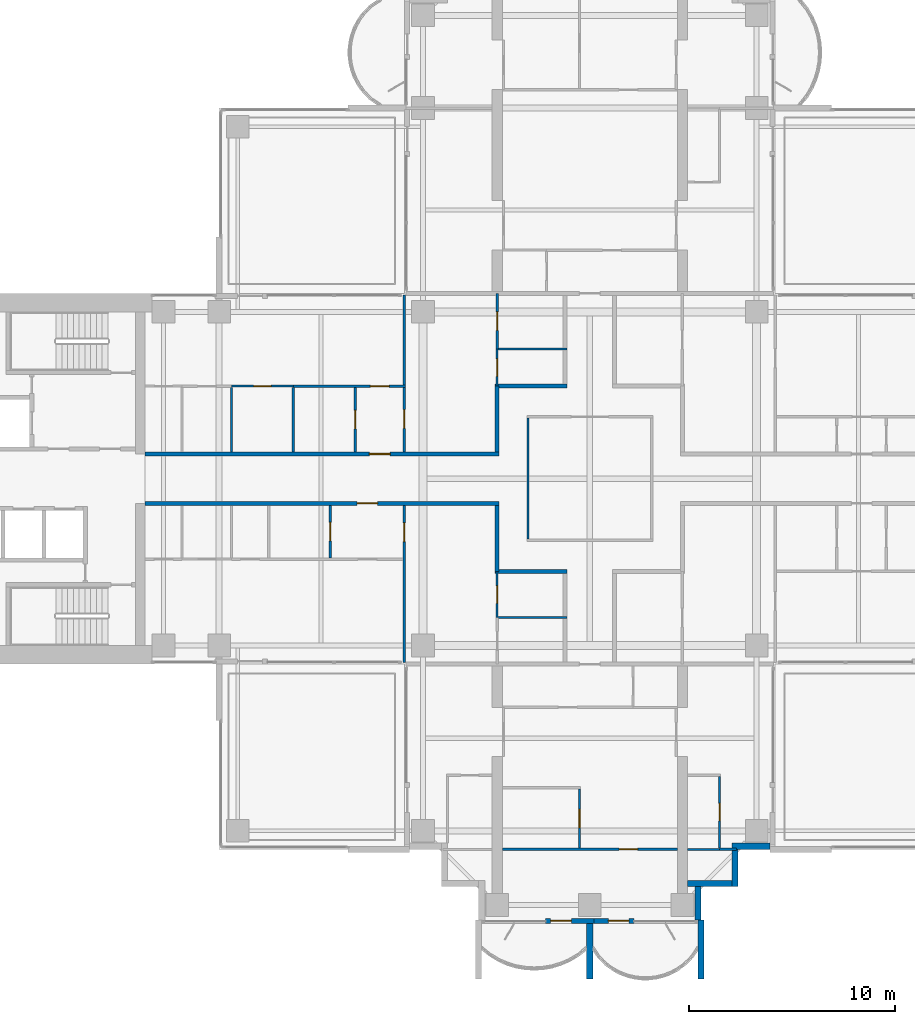
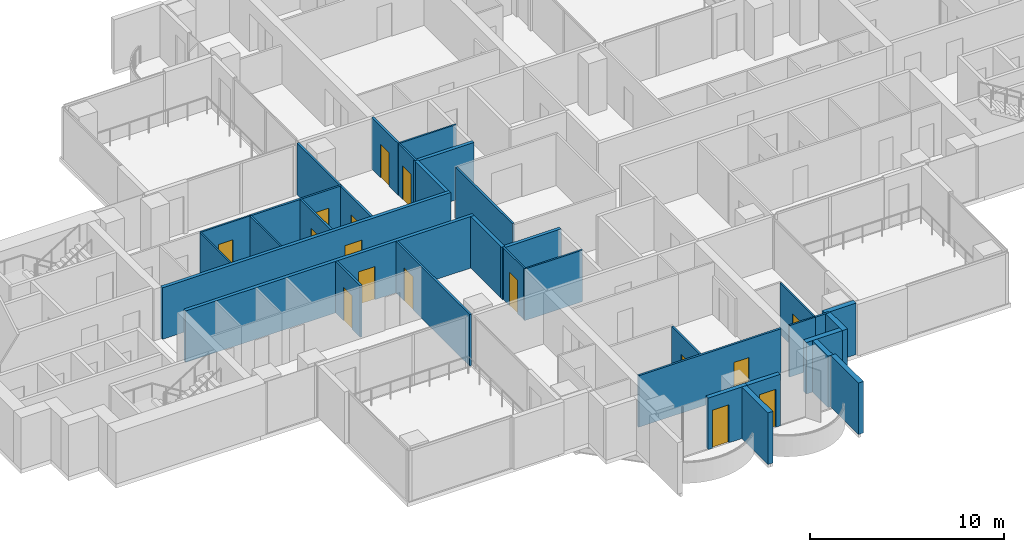
# One storey, part 10 of 18: 33 walls, 16 doors, 16 openings.
"""IFC4 building model written with IfcOpenShell, lengths in metres."""

from ifc_helpers import new_model, si_unit, direction, frame, frame_2d, origin, place, context, subcontext, project, spatial, rectangle, extrude, material, layer, layer_set, type_object, element, fill, save


model = new_model("IFC4")

# Units and contexts
model_context = context("Model", 3, precision=1e-05, world=origin(), true_north=direction((0.0, 1.0)))
body_context = subcontext(model_context, "Body", "Model", "MODEL_VIEW")
ifc_project = project(units=[si_unit("LENGTHUNIT", "METRE"), si_unit("AREAUNIT", "SQUARE_METRE"), si_unit("VOLUMEUNIT", "CUBIC_METRE"), si_unit("PLANEANGLEUNIT", "RADIAN"), si_unit("MASSUNIT", "GRAM", prefix="KILO")], contexts=[model_context])

# Site, building, storey
site_placement = place(None, origin())
site = spatial("IfcSite", under=ifc_project, at=site_placement, CompositionType="ELEMENT")
building_placement = place(site_placement, origin())
building = spatial("IfcBuilding", under=site, at=building_placement, Name="Perihelion Cross Residences", CompositionType="ELEMENT")
storey_placement = place(building_placement, frame((0.0, 0.0, 140.89990234375)))
storey = spatial("IfcBuildingStorey", under=building, at=storey_placement, Name="L34", CompositionType="ELEMENT", Elevation=140.89990234375)

# Wall, opening, door
ifc_material_1 = material(Name="Plasterboard partition")
ifc_layer_1 = layer(ifc_material_1, 0.199951171875)
ifc_layer_set_1 = layer_set([ifc_layer_1], Name="Apartment separation wall 200")
wall_type_1 = type_object("IfcWallType", Name="Apartment separation wall 200", PredefinedType="PARTITIONING", material=ifc_layer_set_1)
wall_1_placement = place(storey_placement, frame((-21.60009765625, 1.199951171875, 0.0), z_axis=(0.0, 0.0, 1.0), x_axis=(1.0, 0.0, 0.0)))
wall_1 = element("IfcWall", 1, at=wall_1_placement, inside=storey, type_object=wall_type_1, Name="Partition L34 W013", PredefinedType="PARTITIONING", context=body_context, shape_type="SweptSolid", body=[
    extrude(rectangle(XDim=17.2001953125, YDim=0.199951171875, at=frame_2d((8.60009765625, 0.0))), origin(), (0.0, 0.0, 1.0), 3.25),
])
opening_1_placement = place(wall_1_placement, frame((10.89990234375, 0.0, 0.0)))
opening_1 = element("IfcOpeningElement", 2, at=opening_1_placement, cuts=wall_1, Name="Opening L34.A48", PredefinedType="OPENING", context=body_context, shape_type="SweptSolid", body=[
    extrude(rectangle(XDim=1.0, YDim=2.10009765625, at=frame_2d((0.5, 1.050048828125))), frame((0.0, 0.10986328125, 0.0), z_axis=(0.0, -1.0, 0.0), x_axis=(1.0, 0.0, 0.0)), (0.0, 0.0, 1.0), 0.219970703125),
])
ifc_material_2 = material(Name="Timber door leaf", Category="wood")
door_type_1 = type_object("IfcDoorType", Name="Flat entrance door 1000 x 2100", OperationType="SINGLE_SWING_LEFT", PredefinedType="DOOR", material=ifc_material_2)
door_1_placement = place(opening_1_placement, origin())
door_1 = element("IfcDoor", 3, at=door_1_placement, inside=storey, type_object=door_type_1, Name="Door L34.A48", OperationType="SINGLE_SWING_RIGHT", OverallHeight=2.10009765625, OverallWidth=1.0, PredefinedType="DOOR", context=body_context, shape_type="SweptSolid", body=[
    extrude(rectangle(XDim=1.0, YDim=2.10009765625, at=frame_2d((0.5, 1.050048828125))), frame((0.0, 0.02490234375, 0.0), z_axis=(0.0, -1.0, 0.0), x_axis=(1.0, 0.0, 0.0)), (0.0, 0.0, 1.0), 0.050048828125),
])
fill(opening_1, door_1)

# Walls
wall_2_placement = place(storey_placement, frame((-4.5, 1.300048828125, 0.0), z_axis=(0.0, 0.0, 1.0), x_axis=(0.0, 1.0, 0.0)))
element("IfcWall", 4, at=wall_2_placement, inside=storey, type_object=wall_type_1, Name="Partition L34 W014", PredefinedType="PARTITIONING", context=body_context, shape_type="SweptSolid", body=[
    extrude(rectangle(XDim=3.199951171875, YDim=0.199951171875, at=frame_2d((1.60009765625, 0.0))), origin(), (0.0, 0.0, 1.0), 3.25),
])
wall_3_placement = place(storey_placement, frame((-4.60009765625, 4.5, 0.0), z_axis=(0.0, 0.0, 1.0), x_axis=(1.0, 0.0, 0.0)))
element("IfcWall", 5, at=wall_3_placement, inside=storey, type_object=wall_type_1, Name="Partition L34 W015", PredefinedType="PARTITIONING", context=body_context, shape_type="SweptSolid", body=[
    extrude(rectangle(XDim=3.5, YDim=0.199951171875, at=frame_2d((1.75, 0.0))), origin(), (0.0, 0.0, 1.0), 3.25),
])

# Wall, opening, door
wall_4_placement = place(storey_placement, frame((-4.39990234375, -1.199951171875, 0.0), z_axis=(0.0, 0.0, 1.0), x_axis=(-1.0, 0.0, 0.0)))
wall_4 = element("IfcWall", 6, at=wall_4_placement, inside=storey, type_object=wall_type_1, Name="Partition L34 W017", PredefinedType="PARTITIONING", context=body_context, shape_type="SweptSolid", body=[
    extrude(rectangle(XDim=17.2001953125, YDim=0.199951171875, at=frame_2d((8.60009765625, 0.0))), origin(), (0.0, 0.0, 1.0), 3.25),
])
opening_2_placement = place(wall_4_placement, frame((5.89990234375, 0.0, 0.0)))
opening_2 = element("IfcOpeningElement", 7, at=opening_2_placement, cuts=wall_4, Name="Opening L34.A49", PredefinedType="OPENING", context=body_context, shape_type="SweptSolid", body=[
    extrude(rectangle(XDim=1.0, YDim=2.10009765625, at=frame_2d((0.5, 1.050048828125))), frame((0.0, 0.10986328125, 0.0), z_axis=(0.0, -1.0, 0.0), x_axis=(1.0, 0.0, 0.0)), (0.0, 0.0, 1.0), 0.219970703125),
])
door_2_placement = place(opening_2_placement, origin())
door_2 = element("IfcDoor", 8, at=door_2_placement, inside=storey, type_object=door_type_1, Name="Door L34.A49", OperationType="SINGLE_SWING_RIGHT", OverallHeight=2.10009765625, OverallWidth=1.0, PredefinedType="DOOR", context=body_context, shape_type="SweptSolid", body=[
    extrude(rectangle(XDim=1.0, YDim=2.10009765625, at=frame_2d((0.5, 1.050048828125))), frame((0.0, 0.02490234375, 0.0), z_axis=(0.0, -1.0, 0.0), x_axis=(1.0, 0.0, 0.0)), (0.0, 0.0, 1.0), 0.050048828125),
])
fill(opening_2, door_2)

# Walls
wall_5_placement = place(storey_placement, frame((-4.5, -4.5, 0.0), z_axis=(0.0, 0.0, 1.0), x_axis=(0.0, 1.0, 0.0)))
element("IfcWall", 9, at=wall_5_placement, inside=storey, type_object=wall_type_1, Name="Partition L34 W018", PredefinedType="PARTITIONING", context=body_context, shape_type="SweptSolid", body=[
    extrude(rectangle(XDim=3.199951171875, YDim=0.199951171875, at=frame_2d((1.60009765625, 0.0))), origin(), (0.0, 0.0, 1.0), 3.25),
])
wall_6_placement = place(storey_placement, frame((-1.10009765625, -4.5, 0.0), z_axis=(0.0, 0.0, 1.0), x_axis=(-1.0, 0.0, 0.0)))
element("IfcWall", 10, at=wall_6_placement, inside=storey, type_object=wall_type_1, Name="Partition L34 W020", PredefinedType="PARTITIONING", context=body_context, shape_type="SweptSolid", body=[
    extrude(rectangle(XDim=3.5, YDim=0.199951171875, at=frame_2d((1.75, 0.0))), origin(), (0.0, 0.0, 1.0), 3.25),
])

# Wall, opening, door
ifc_material_3 = material(Name="Concrete C30/37, bronze-clad", Category="concrete")
ifc_layer_2 = layer(ifc_material_3, 0.25)
ifc_layer_set_2 = layer_set([ifc_layer_2], Name="Bronze-clad pier wall 250")
wall_type_2 = type_object("IfcWallType", Name="Bronze-clad pier wall 250", PredefinedType="SOLIDWALL", material=ifc_layer_set_2)
wall_7_placement = place(storey_placement, frame((-2.14990234375, -21.47509765625, 0.0), z_axis=(0.0, 0.0, 1.0), x_axis=(1.0, 0.0, 0.0)))
wall_7 = element("IfcWall", 11, at=wall_7_placement, inside=storey, type_object=wall_type_2, Name="Wall FW1 L34 south tip south bay 1 pier", PredefinedType="SOLIDWALL", context=body_context, shape_type="SweptSolid", body=[
    extrude(rectangle(XDim=2.349853515625, YDim=0.25, at=frame_2d((1.1748046875, 0.0))), origin(), (0.0, 0.0, 1.0), 3.25),
])
opening_3_placement = place(wall_7_placement, frame((0.25, 0.0, 0.0)))
opening_3 = element("IfcOpeningElement", 12, at=opening_3_placement, cuts=wall_7, Name="Opening L34.E11", PredefinedType="OPENING", context=body_context, shape_type="SweptSolid", body=[
    extrude(rectangle(XDim=1.0, YDim=2.39990234375, at=frame_2d((0.5, 1.199951171875))), frame((0.0, 0.135009765625, 0.0), z_axis=(0.0, -1.0, 0.0), x_axis=(1.0, 0.0, 0.0)), (0.0, 0.0, 1.0), 0.27001953125),
])
ifc_material_4 = material(Name="Bronze anodised aluminium, glazed", Category="aluminium")
door_type_2 = type_object("IfcDoorType", Name="Balcony door 1000 x 2400", OperationType="NOTDEFINED", PredefinedType="DOOR", material=ifc_material_4)
door_3_placement = place(opening_3_placement, origin())
door_3 = element("IfcDoor", 13, at=door_3_placement, inside=storey, type_object=door_type_2, Name="Door L34.E11 south tip south bay 1", OperationType="SINGLE_SWING_RIGHT", OverallHeight=2.39990234375, OverallWidth=1.0, PredefinedType="DOOR", context=body_context, shape_type="SweptSolid", body=[
    extrude(rectangle(XDim=1.0, YDim=2.39990234375, at=frame_2d((0.5, 1.199951171875))), frame((0.0, 0.02490234375, 0.0), z_axis=(0.0, -1.0, 0.0), x_axis=(1.0, 0.0, 0.0)), (0.0, 0.0, 1.0), 0.050048828125),
])
fill(opening_3, door_3)

wall_8_placement = place(storey_placement, frame((0.199951171875, -21.47509765625, 0.0), z_axis=(0.0, 0.0, 1.0), x_axis=(1.0, 0.0, 0.0)))
wall_8 = element("IfcWall", 14, at=wall_8_placement, inside=storey, type_object=wall_type_2, Name="Wall FW1 L34 south tip south bay 2 pier", PredefinedType="SOLIDWALL", context=body_context, shape_type="SweptSolid", body=[
    extrude(rectangle(XDim=1.949951171875, YDim=0.25, at=frame_2d((0.97509765625, 0.0))), origin(), (0.0, 0.0, 1.0), 3.25),
])
opening_4_placement = place(wall_8_placement, frame((0.699951171875, 0.0, 0.0)))
opening_4 = element("IfcOpeningElement", 15, at=opening_4_placement, cuts=wall_8, Name="Opening L34.E12", PredefinedType="OPENING", context=body_context, shape_type="SweptSolid", body=[
    extrude(rectangle(XDim=1.0, YDim=2.39990234375, at=frame_2d((0.5, 1.199951171875))), frame((0.0, 0.135009765625, 0.0), z_axis=(0.0, -1.0, 0.0), x_axis=(1.0, 0.0, 0.0)), (0.0, 0.0, 1.0), 0.27001953125),
])
door_4_placement = place(opening_4_placement, origin())
door_4 = element("IfcDoor", 16, at=door_4_placement, inside=storey, type_object=door_type_2, Name="Door L34.E12 south tip south bay 2", OperationType="SINGLE_SWING_LEFT", OverallHeight=2.39990234375, OverallWidth=1.0, PredefinedType="DOOR", context=body_context, shape_type="SweptSolid", body=[
    extrude(rectangle(XDim=1.0, YDim=2.39990234375, at=frame_2d((0.5, 1.199951171875))), frame((0.0, 0.02490234375, 0.0), z_axis=(0.0, -1.0, 0.0), x_axis=(1.0, 0.0, 0.0)), (0.0, 0.0, 1.0), 0.050048828125),
])
fill(opening_4, door_4)

# Walls
ifc_material_5 = material(Name="Concrete C30/37, bronze-clad", Category="concrete")
ifc_layer_3 = layer(ifc_material_5, 0.300048828125)
ifc_layer_set_3 = layer_set([ifc_layer_3], Name="Bronze-clad serration wall 300")
wall_type_3 = type_object("IfcWallType", Name="Bronze-clad serration wall 300", PredefinedType="SOLIDWALL", material=ifc_layer_set_3)
wall_9_placement = place(storey_placement, frame((5.25, -21.419921875, 0.0), z_axis=(0.0, 0.0, 1.0), x_axis=(0.0, 1.0, 0.0)))
element("IfcWall", 17, at=wall_9_placement, inside=storey, type_object=wall_type_3, Name="Wall SR1 L34 south corner south-east 1", PredefinedType="SOLIDWALL", context=body_context, shape_type="SweptSolid", body=[
    extrude(rectangle(XDim=1.619873046875, YDim=0.300048828125, at=frame_2d((0.81005859375, 0.0))), origin(), (0.0, 0.0, 1.0), 3.25),
])
wall_10_placement = place(storey_placement, frame((4.75, -19.64990234375, 0.0), z_axis=(0.0, 0.0, 1.0), x_axis=(1.0, 0.0, 0.0)))
element("IfcWall", 18, at=wall_10_placement, inside=storey, type_object=wall_type_3, Name="Wall SR1 L34 south corner south-east 2", PredefinedType="SOLIDWALL", context=body_context, shape_type="SweptSolid", body=[
    extrude(rectangle(XDim=2.14990234375, YDim=0.300048828125, at=frame_2d((1.074951171875, 0.0))), origin(), (0.0, 0.0, 1.0), 3.25),
])
wall_11_placement = place(storey_placement, frame((7.050048828125, -19.800048828125, 0.0), z_axis=(0.0, 0.0, 1.0), x_axis=(0.0, 1.0, 0.0)))
element("IfcWall", 19, at=wall_11_placement, inside=storey, type_object=wall_type_3, Name="Wall SR1 L34 south corner south-east 3", PredefinedType="SOLIDWALL", context=body_context, shape_type="SweptSolid", body=[
    extrude(rectangle(XDim=1.800048828125, YDim=0.300048828125, at=frame_2d((0.89990234375, 0.0))), origin(), (0.0, 0.0, 1.0), 3.25),
])
wall_12_placement = place(storey_placement, frame((6.89990234375, -17.85009765625, 0.0), z_axis=(0.0, 0.0, 1.0), x_axis=(1.0, 0.0, 0.0)))
element("IfcWall", 20, at=wall_12_placement, inside=storey, type_object=wall_type_3, Name="Wall SR1 L34 south corner south-east 4", PredefinedType="SOLIDWALL", context=body_context, shape_type="SweptSolid", body=[
    extrude(rectangle(XDim=1.85009765625, YDim=0.300048828125, at=frame_2d((0.925048828125, 0.0))), origin(), (0.0, 0.0, 1.0), 3.25),
])
ifc_material_6 = material(Name="Plasterboard partition")
ifc_layer_4 = layer(ifc_material_6, 0.1201171875)
ifc_layer_set_4 = layer_set([ifc_layer_4], Name="Partition wall 120")
wall_type_4 = type_object("IfcWallType", Name="Partition wall 120", PredefinedType="PARTITIONING", material=ifc_layer_set_4)
wall_13_placement = place(storey_placement, frame((-3.0, 2.93994140625, 0.0), z_axis=(0.0, 0.0, 1.0), x_axis=(0.0, -1.0, 0.0)))
element("IfcWall", 21, at=wall_13_placement, inside=storey, type_object=wall_type_4, Name="Partition L34 W004", PredefinedType="PARTITIONING", context=body_context, shape_type="SweptSolid", body=[
    extrude(rectangle(XDim=5.8798828125, YDim=0.1201171875, at=frame_2d((2.93994140625, 0.0))), origin(), (0.0, 0.0, 1.0), 3.25),
])

# Wall, opening, door
wall_14_placement = place(storey_placement, frame((-11.39990234375, 1.300048828125, 0.0), z_axis=(0.0, 0.0, 1.0), x_axis=(0.0, 1.0, 0.0)))
wall_14 = element("IfcWall", 22, at=wall_14_placement, inside=storey, type_object=wall_type_4, Name="Partition L34 W041", PredefinedType="PARTITIONING", context=body_context, shape_type="SweptSolid", body=[
    extrude(rectangle(XDim=3.139892578125, YDim=0.1201171875, at=frame_2d((1.56982421875, 0.0))), origin(), (0.0, 0.0, 1.0), 3.25),
])
opening_5_placement = place(wall_14_placement, frame((1.1201171875, 0.0, 0.0)))
opening_5 = element("IfcOpeningElement", 23, at=opening_5_placement, cuts=wall_14, Name="Opening L34.A17", PredefinedType="OPENING", context=body_context, shape_type="SweptSolid", body=[
    extrude(rectangle(XDim=0.89990234375, YDim=2.10009765625, at=frame_2d((0.449951171875, 1.050048828125))), frame((0.0, 0.070068359375, 0.0), z_axis=(0.0, -1.0, 0.0), x_axis=(1.0, 0.0, 0.0)), (0.0, 0.0, 1.0), 0.14013671875),
])
ifc_material_7 = material(Name="Timber door leaf", Category="wood")
door_type_3 = type_object("IfcDoorType", Name="Interior room door 900 x 2100", OperationType="SINGLE_SWING_LEFT", PredefinedType="DOOR", material=ifc_material_7)
door_5_placement = place(opening_5_placement, origin())
door_5 = element("IfcDoor", 24, at=door_5_placement, inside=storey, type_object=door_type_3, Name="Door L34.A17", OperationType="SINGLE_SWING_LEFT", OverallHeight=2.10009765625, OverallWidth=0.89990234375, PredefinedType="DOOR", context=body_context, shape_type="SweptSolid", body=[
    extrude(rectangle(XDim=0.89990234375, YDim=2.10009765625, at=frame_2d((0.449951171875, 1.050048828125))), frame((0.0, 0.02490234375, 0.0), z_axis=(0.0, -1.0, 0.0), x_axis=(1.0, 0.0, 0.0)), (0.0, 0.0, 1.0), 0.050048828125),
])
fill(opening_5, door_5)

wall_15_placement = place(storey_placement, frame((-14.39990234375, 4.5, 0.0), z_axis=(0.0, 0.0, 1.0), x_axis=(1.0, 0.0, 0.0)))
wall_15 = element("IfcWall", 25, at=wall_15_placement, inside=storey, type_object=wall_type_4, Name="Partition L34 W042", PredefinedType="PARTITIONING", context=body_context, shape_type="SweptSolid", body=[
    extrude(rectangle(XDim=5.4599609375, YDim=0.1201171875, at=frame_2d((2.72998046875, 0.0))), origin(), (0.0, 0.0, 1.0), 3.25),
])
opening_6_placement = place(wall_15_placement, frame((3.75, 0.0, 0.0)))
opening_6 = element("IfcOpeningElement", 26, at=opening_6_placement, cuts=wall_15, Name="Opening L34.A22", PredefinedType="OPENING", context=body_context, shape_type="SweptSolid", body=[
    extrude(rectangle(XDim=0.89990234375, YDim=2.10009765625, at=frame_2d((0.449951171875, 1.050048828125))), frame((0.0, 0.070068359375, 0.0), z_axis=(0.0, -1.0, 0.0), x_axis=(1.0, 0.0, 0.0)), (0.0, 0.0, 1.0), 0.14013671875),
])
door_6_placement = place(opening_6_placement, origin())
door_6 = element("IfcDoor", 27, at=door_6_placement, inside=storey, type_object=door_type_3, Name="Door L34.A22", OperationType="SINGLE_SWING_LEFT", OverallHeight=2.10009765625, OverallWidth=0.89990234375, PredefinedType="DOOR", context=body_context, shape_type="SweptSolid", body=[
    extrude(rectangle(XDim=0.89990234375, YDim=2.10009765625, at=frame_2d((0.449951171875, 1.050048828125))), frame((0.0, 0.02490234375, 0.0), z_axis=(0.0, -1.0, 0.0), x_axis=(1.0, 0.0, 0.0)), (0.0, 0.0, 1.0), 0.050048828125),
])
fill(opening_6, door_6)

wall_16_placement = place(storey_placement, frame((-9.0, 8.919921875, 0.0), z_axis=(0.0, 0.0, 1.0), x_axis=(0.0, -1.0, 0.0)))
wall_16 = element("IfcWall", 28, at=wall_16_placement, inside=storey, type_object=wall_type_4, Name="Partition L34 W043", PredefinedType="PARTITIONING", context=body_context, shape_type="SweptSolid", body=[
    extrude(rectangle(XDim=7.619873046875, YDim=0.1201171875, at=frame_2d((3.81005859375, 0.0))), origin(), (0.0, 0.0, 1.0), 3.25),
])
opening_7_placement = place(wall_16_placement, frame((5.570068359375, 0.0, 0.0)))
opening_7 = element("IfcOpeningElement", 29, at=opening_7_placement, cuts=wall_16, Name="Opening L34.A18", PredefinedType="OPENING", context=body_context, shape_type="SweptSolid", body=[
    extrude(rectangle(XDim=0.89990234375, YDim=2.10009765625, at=frame_2d((0.449951171875, 1.050048828125))), frame((0.0, 0.070068359375, 0.0), z_axis=(0.0, -1.0, 0.0), x_axis=(1.0, 0.0, 0.0)), (0.0, 0.0, 1.0), 0.14013671875),
])
door_7_placement = place(opening_7_placement, origin())
door_7 = element("IfcDoor", 30, at=door_7_placement, inside=storey, type_object=door_type_3, Name="Door L34.A18", OperationType="SINGLE_SWING_RIGHT", OverallHeight=2.10009765625, OverallWidth=0.89990234375, PredefinedType="DOOR", context=body_context, shape_type="SweptSolid", body=[
    extrude(rectangle(XDim=0.89990234375, YDim=2.10009765625, at=frame_2d((0.449951171875, 1.050048828125))), frame((0.0, 0.02490234375, 0.0), z_axis=(0.0, -1.0, 0.0), x_axis=(1.0, 0.0, 0.0)), (0.0, 0.0, 1.0), 0.050048828125),
])
fill(opening_7, door_7)

wall_17_placement = place(storey_placement, frame((-4.5, 9.0, 0.0), z_axis=(0.0, 0.0, 1.0), x_axis=(0.0, -1.0, 0.0)))
wall_17 = element("IfcWall", 31, at=wall_17_placement, inside=storey, type_object=wall_type_4, Name="Partition L34 W051", PredefinedType="PARTITIONING", context=body_context, shape_type="SweptSolid", body=[
    extrude(rectangle(XDim=2.699951171875, YDim=0.1201171875, at=frame_2d((1.35009765625, 0.0))), origin(), (0.0, 0.0, 1.0), 3.25),
])
opening_8_placement = place(wall_17_placement, frame((0.89990234375, 0.0, 0.0)))
opening_8 = element("IfcOpeningElement", 32, at=opening_8_placement, cuts=wall_17, Name="Opening L34.A19", PredefinedType="OPENING", context=body_context, shape_type="SweptSolid", body=[
    extrude(rectangle(XDim=0.89990234375, YDim=2.10009765625, at=frame_2d((0.449951171875, 1.050048828125))), frame((0.0, 0.070068359375, 0.0), z_axis=(0.0, -1.0, 0.0), x_axis=(1.0, 0.0, 0.0)), (0.0, 0.0, 1.0), 0.14013671875),
])
door_8_placement = place(opening_8_placement, origin())
door_8 = element("IfcDoor", 33, at=door_8_placement, inside=storey, type_object=door_type_3, Name="Door L34.A19", OperationType="SINGLE_SWING_RIGHT", OverallHeight=2.10009765625, OverallWidth=0.89990234375, PredefinedType="DOOR", context=body_context, shape_type="SweptSolid", body=[
    extrude(rectangle(XDim=0.89990234375, YDim=2.10009765625, at=frame_2d((0.449951171875, 1.050048828125))), frame((0.0, 0.02490234375, 0.0), z_axis=(0.0, -1.0, 0.0), x_axis=(1.0, 0.0, 0.0)), (0.0, 0.0, 1.0), 0.050048828125),
])
fill(opening_8, door_8)

wall_18_placement = place(storey_placement, frame((-12.60009765625, -3.840087890625, 0.0), z_axis=(0.0, 0.0, 1.0), x_axis=(0.0, 1.0, 0.0)))
wall_18 = element("IfcWall", 34, at=wall_18_placement, inside=storey, type_object=wall_type_4, Name="Partition L34 W053", PredefinedType="PARTITIONING", context=body_context, shape_type="SweptSolid", body=[
    extrude(rectangle(XDim=2.5400390625, YDim=0.1201171875, at=frame_2d((1.27001953125, 0.0))), origin(), (0.0, 0.0, 1.0), 3.25),
])
opening_9_placement = place(wall_18_placement, frame((0.820068359375, 0.0, 0.0)))
opening_9 = element("IfcOpeningElement", 35, at=opening_9_placement, cuts=wall_18, Name="Opening L34.A26", PredefinedType="OPENING", context=body_context, shape_type="SweptSolid", body=[
    extrude(rectangle(XDim=0.89990234375, YDim=2.10009765625, at=frame_2d((0.449951171875, 1.050048828125))), frame((0.0, 0.070068359375, 0.0), z_axis=(0.0, -1.0, 0.0), x_axis=(1.0, 0.0, 0.0)), (0.0, 0.0, 1.0), 0.14013671875),
])
door_9_placement = place(opening_9_placement, origin())
door_9 = element("IfcDoor", 36, at=door_9_placement, inside=storey, type_object=door_type_3, Name="Door L34.A26", OperationType="SINGLE_SWING_RIGHT", OverallHeight=2.10009765625, OverallWidth=0.89990234375, PredefinedType="DOOR", context=body_context, shape_type="SweptSolid", body=[
    extrude(rectangle(XDim=0.89990234375, YDim=2.10009765625, at=frame_2d((0.449951171875, 1.050048828125))), frame((0.0, 0.02490234375, 0.0), z_axis=(0.0, -1.0, 0.0), x_axis=(1.0, 0.0, 0.0)), (0.0, 0.0, 1.0), 0.050048828125),
])
fill(opening_9, door_9)

wall_19_placement = place(storey_placement, frame((-9.0, -1.300048828125, 0.0), z_axis=(0.0, 0.0, 1.0), x_axis=(0.0, -1.0, 0.0)))
wall_19 = element("IfcWall", 37, at=wall_19_placement, inside=storey, type_object=wall_type_4, Name="Partition L34 W055", PredefinedType="PARTITIONING", context=body_context, shape_type="SweptSolid", body=[
    extrude(rectangle(XDim=7.619873046875, YDim=0.1201171875, at=frame_2d((3.81005859375, 0.0))), origin(), (0.0, 0.0, 1.0), 3.25),
])
opening_10_placement = place(wall_19_placement, frame((0.85009765625, 0.0, 0.0)))
opening_10 = element("IfcOpeningElement", 38, at=opening_10_placement, cuts=wall_19, Name="Opening L34.A29", PredefinedType="OPENING", context=body_context, shape_type="SweptSolid", body=[
    extrude(rectangle(XDim=0.89990234375, YDim=2.10009765625, at=frame_2d((0.449951171875, 1.050048828125))), frame((0.0, 0.070068359375, 0.0), z_axis=(0.0, -1.0, 0.0), x_axis=(1.0, 0.0, 0.0)), (0.0, 0.0, 1.0), 0.14013671875),
])
door_10_placement = place(opening_10_placement, origin())
door_10 = element("IfcDoor", 39, at=door_10_placement, inside=storey, type_object=door_type_3, Name="Door L34.A29", OperationType="SINGLE_SWING_LEFT", OverallHeight=2.10009765625, OverallWidth=0.89990234375, PredefinedType="DOOR", context=body_context, shape_type="SweptSolid", body=[
    extrude(rectangle(XDim=0.89990234375, YDim=2.10009765625, at=frame_2d((0.449951171875, 1.050048828125))), frame((0.0, 0.02490234375, 0.0), z_axis=(0.0, -1.0, 0.0), x_axis=(1.0, 0.0, 0.0)), (0.0, 0.0, 1.0), 0.050048828125),
])
fill(opening_10, door_10)

wall_20_placement = place(storey_placement, frame((-0.5, -17.93994140625, 0.0), z_axis=(0.0, 0.0, 1.0), x_axis=(0.0, 1.0, 0.0)))
wall_20 = element("IfcWall", 40, at=wall_20_placement, inside=storey, type_object=wall_type_4, Name="Partition L34 W080", PredefinedType="PARTITIONING", context=body_context, shape_type="SweptSolid", body=[
    extrude(rectangle(XDim=2.8798828125, YDim=0.1201171875, at=frame_2d((1.43994140625, 0.0))), origin(), (0.0, 0.0, 1.0), 3.25),
])
opening_11_placement = place(wall_20_placement, frame((0.989990234375, 0.0, 0.0)))
opening_11 = element("IfcOpeningElement", 41, at=opening_11_placement, cuts=wall_20, Name="Opening L34.A42", PredefinedType="OPENING", context=body_context, shape_type="SweptSolid", body=[
    extrude(rectangle(XDim=0.89990234375, YDim=2.10009765625, at=frame_2d((0.449951171875, 1.050048828125))), frame((0.0, 0.070068359375, 0.0), z_axis=(0.0, -1.0, 0.0), x_axis=(1.0, 0.0, 0.0)), (0.0, 0.0, 1.0), 0.14013671875),
])
door_11_placement = place(opening_11_placement, origin())
door_11 = element("IfcDoor", 42, at=door_11_placement, inside=storey, type_object=door_type_3, Name="Door L34.A42", OperationType="SINGLE_SWING_RIGHT", OverallHeight=2.10009765625, OverallWidth=0.89990234375, PredefinedType="DOOR", context=body_context, shape_type="SweptSolid", body=[
    extrude(rectangle(XDim=0.89990234375, YDim=2.10009765625, at=frame_2d((0.449951171875, 1.050048828125))), frame((0.0, 0.02490234375, 0.0), z_axis=(0.0, -1.0, 0.0), x_axis=(1.0, 0.0, 0.0)), (0.0, 0.0, 1.0), 0.050048828125),
])
fill(opening_11, door_11)

wall_21_placement = place(storey_placement, frame((4.25, -18.0, 0.0), z_axis=(0.0, 0.0, 1.0), x_axis=(-1.0, 0.0, 0.0)))
wall_21 = element("IfcWall", 43, at=wall_21_placement, inside=storey, type_object=wall_type_4, Name="Partition L34 W082", PredefinedType="PARTITIONING", context=body_context, shape_type="SweptSolid", body=[
    extrude(rectangle(XDim=8.5, YDim=0.1201171875, at=frame_2d((4.25, 0.0))), origin(), (0.0, 0.0, 1.0), 3.25),
])
opening_12_placement = place(wall_21_placement, frame((1.925048828125, 0.0, 0.0)))
opening_12 = element("IfcOpeningElement", 44, at=opening_12_placement, cuts=wall_21, Name="Opening L34.A43", PredefinedType="OPENING", context=body_context, shape_type="SweptSolid", body=[
    extrude(rectangle(XDim=0.89990234375, YDim=2.10009765625, at=frame_2d((0.449951171875, 1.050048828125))), frame((0.0, 0.070068359375, 0.0), z_axis=(0.0, -1.0, 0.0), x_axis=(1.0, 0.0, 0.0)), (0.0, 0.0, 1.0), 0.14013671875),
])
door_12_placement = place(opening_12_placement, origin())
door_12 = element("IfcDoor", 45, at=door_12_placement, inside=storey, type_object=door_type_3, Name="Door L34.A43", OperationType="SINGLE_SWING_RIGHT", OverallHeight=2.10009765625, OverallWidth=0.89990234375, PredefinedType="DOOR", context=body_context, shape_type="SweptSolid", body=[
    extrude(rectangle(XDim=0.89990234375, YDim=2.10009765625, at=frame_2d((0.449951171875, 1.050048828125))), frame((0.0, 0.02490234375, 0.0), z_axis=(0.0, -1.0, 0.0), x_axis=(1.0, 0.0, 0.0)), (0.0, 0.0, 1.0), 0.050048828125),
])
fill(opening_12, door_12)

# Walls
wall_22_placement = place(storey_placement, frame((7.1201171875, -18.0, 0.0), z_axis=(0.0, 0.0, 1.0), x_axis=(-1.0, 0.0, 0.0)))
element("IfcWall", 46, at=wall_22_placement, inside=storey, type_object=wall_type_4, Name="Partition L34 W085", PredefinedType="PARTITIONING", context=body_context, shape_type="SweptSolid", body=[
    extrude(rectangle(XDim=0.820068359375, YDim=0.1201171875, at=frame_2d((0.41015625, 0.0))), origin(), (0.0, 0.0, 1.0), 3.25),
])
ifc_material_8 = material(Name="Precast concrete C50/60", Category="concrete")
ifc_layer_5 = layer(ifc_material_8, 0.300048828125)
ifc_layer_set_5 = layer_set([ifc_layer_5], Name="Precast concrete C50/60 blade wall 300")
wall_type_5 = type_object("IfcWallType", Name="Precast concrete C50/60 blade wall 300", PredefinedType="SOLIDWALL", material=ifc_layer_set_5)
wall_23_placement = place(storey_placement, frame((0.0, -21.60009765625, 0.0), z_axis=(0.0, 0.0, 1.0), x_axis=(0.0, -1.0, 0.0)))
element("IfcWall", 47, at=wall_23_placement, inside=storey, type_object=wall_type_5, Name="Wall BL1 L34 no. 8", PredefinedType="SOLIDWALL", context=body_context, shape_type="SweptSolid", body=[
    extrude(rectangle(XDim=2.699951171875, YDim=0.300048828125, at=frame_2d((1.35009765625, 0.0))), origin(), (0.0, 0.0, 1.0), 3.25),
])
wall_24_placement = place(storey_placement, frame((5.39990234375, -21.419921875, 0.0), z_axis=(0.0, 0.0, 1.0), x_axis=(0.0, -1.0, 0.0)))
element("IfcWall", 48, at=wall_24_placement, inside=storey, type_object=wall_type_5, Name="Wall BL1 L34 no. 12", PredefinedType="SOLIDWALL", context=body_context, shape_type="SweptSolid", body=[
    extrude(rectangle(XDim=2.880126953125, YDim=0.300048828125, at=frame_2d((1.43994140625, 0.0))), origin(), (0.0, 0.0, 1.0), 3.25),
])
ifc_material_9 = material(Name="Plasterboard partition")
ifc_layer_6 = layer(ifc_material_9, 0.10009765625)
ifc_layer_set_6 = layer_set([ifc_layer_6], Name="Wet room wall 100")
wall_type_6 = type_object("IfcWallType", Name="Wet room wall 100", PredefinedType="PARTITIONING", material=ifc_layer_set_6)
for number, where, z_axis, x_axis, name in (
    (49, (-14.39990234375, 1.300048828125, 0.0), (0.0, 0.0, 1.0), (0.0, 1.0, 0.0), "Partition L34 W044"),
    (50, (-17.39990234375, 1.300048828125, 0.0), (0.0, 0.0, 1.0), (0.0, 1.0, 0.0), "Partition L34 W045"),
):
    element("IfcWall", number, at=place(storey_placement, frame(where, z_axis=z_axis, x_axis=x_axis)), inside=storey, type_object=wall_type_6, Name=name, PredefinedType="PARTITIONING", context=body_context, shape_type="SweptSolid", body=[
        extrude(rectangle(XDim=3.139892578125, YDim=0.10009765625, at=frame_2d((1.56982421875, 0.0))), origin(), (0.0, 0.0, 1.0), 3.25),
    ])

# Wall, opening, door
wall_25_placement = place(storey_placement, frame((-17.39990234375, 4.5, 0.0), z_axis=(0.0, 0.0, 1.0), x_axis=(1.0, 0.0, 0.0)))
wall_25 = element("IfcWall", 51, at=wall_25_placement, inside=storey, type_object=wall_type_6, Name="Partition L34 W046", PredefinedType="PARTITIONING", context=body_context, shape_type="SweptSolid", body=[
    extrude(rectangle(XDim=3.0, YDim=0.10009765625, at=frame_2d((1.5, 0.0))), origin(), (0.0, 0.0, 1.0), 3.25),
])
opening_13_placement = place(wall_25_placement, frame((1.074951171875, 0.0, 0.0)))
opening_13 = element("IfcOpeningElement", 52, at=opening_13_placement, cuts=wall_25, Name="Opening L34.A16", PredefinedType="OPENING", context=body_context, shape_type="SweptSolid", body=[
    extrude(rectangle(XDim=0.85009765625, YDim=2.10009765625, at=frame_2d((0.425048828125, 1.050048828125))), frame((0.0, 0.06005859375, 0.0), z_axis=(0.0, -1.0, 0.0), x_axis=(1.0, 0.0, 0.0)), (0.0, 0.0, 1.0), 0.1201171875),
])
ifc_material_10 = material(Name="Timber door leaf", Category="wood")
door_type_4 = type_object("IfcDoorType", Name="Interior bathroom door 850 x 2100", OperationType="SINGLE_SWING_LEFT", PredefinedType="DOOR", material=ifc_material_10)
door_13_placement = place(opening_13_placement, origin())
door_13 = element("IfcDoor", 53, at=door_13_placement, inside=storey, type_object=door_type_4, Name="Door L34.A16", OperationType="SINGLE_SWING_LEFT", OverallHeight=2.10009765625, OverallWidth=0.85009765625, PredefinedType="DOOR", context=body_context, shape_type="SweptSolid", body=[
    extrude(rectangle(XDim=0.85009765625, YDim=2.10009765625, at=frame_2d((0.425048828125, 1.050048828125))), frame((0.0, 0.02490234375, 0.0), z_axis=(0.0, -1.0, 0.0), x_axis=(1.0, 0.0, 0.0)), (0.0, 0.0, 1.0), 0.050048828125),
])
fill(opening_13, door_13)

wall_26_placement = place(storey_placement, frame((-4.5, 6.300048828125, 0.0), z_axis=(0.0, 0.0, 1.0), x_axis=(0.0, -1.0, 0.0)))
wall_26 = element("IfcWall", 54, at=wall_26_placement, inside=storey, type_object=wall_type_6, Name="Partition L34 W050", PredefinedType="PARTITIONING", context=body_context, shape_type="SweptSolid", body=[
    extrude(rectangle(XDim=1.800048828125, YDim=0.10009765625, at=frame_2d((0.89990234375, 0.0))), origin(), (0.0, 0.0, 1.0), 3.25),
])
opening_14_placement = place(wall_26_placement, frame((0.47509765625, 0.0, 0.0)))
opening_14 = element("IfcOpeningElement", 55, at=opening_14_placement, cuts=wall_26, Name="Opening L34.A20", PredefinedType="OPENING", context=body_context, shape_type="SweptSolid", body=[
    extrude(rectangle(XDim=0.85009765625, YDim=2.10009765625, at=frame_2d((0.425048828125, 1.050048828125))), frame((0.0, 0.06005859375, 0.0), z_axis=(0.0, -1.0, 0.0), x_axis=(1.0, 0.0, 0.0)), (0.0, 0.0, 1.0), 0.1201171875),
])
door_14_placement = place(opening_14_placement, origin())
door_14 = element("IfcDoor", 56, at=door_14_placement, inside=storey, type_object=door_type_4, Name="Door L34.A20", OperationType="SINGLE_SWING_LEFT", OverallHeight=2.10009765625, OverallWidth=0.85009765625, PredefinedType="DOOR", context=body_context, shape_type="SweptSolid", body=[
    extrude(rectangle(XDim=0.85009765625, YDim=2.10009765625, at=frame_2d((0.425048828125, 1.050048828125))), frame((0.0, 0.02490234375, 0.0), z_axis=(0.0, -1.0, 0.0), x_axis=(1.0, 0.0, 0.0)), (0.0, 0.0, 1.0), 0.050048828125),
])
fill(opening_14, door_14)

# Wall
wall_27_placement = place(storey_placement, frame((-4.56005859375, 6.300048828125, 0.0), z_axis=(0.0, 0.0, 1.0), x_axis=(1.0, 0.0, 0.0)))
element("IfcWall", 57, at=wall_27_placement, inside=storey, type_object=wall_type_6, Name="Partition L34 W052", PredefinedType="PARTITIONING", context=body_context, shape_type="SweptSolid", body=[
    extrude(rectangle(XDim=3.4599609375, YDim=0.10009765625, at=frame_2d((1.72998046875, 0.0))), origin(), (0.0, 0.0, 1.0), 3.25),
])

# Wall, opening, door
wall_28_placement = place(storey_placement, frame((-4.5, -4.5, 0.0), z_axis=(0.0, 0.0, 1.0), x_axis=(0.0, -1.0, 0.0)))
wall_28 = element("IfcWall", 58, at=wall_28_placement, inside=storey, type_object=wall_type_6, Name="Partition L34 W061", PredefinedType="PARTITIONING", context=body_context, shape_type="SweptSolid", body=[
    extrude(rectangle(XDim=2.25, YDim=0.10009765625, at=frame_2d((1.125, 0.0))), origin(), (0.0, 0.0, 1.0), 3.25),
])
opening_15_placement = place(wall_28_placement, frame((0.699951171875, 0.0, 0.0)))
opening_15 = element("IfcOpeningElement", 59, at=opening_15_placement, cuts=wall_28, Name="Opening L34.A30", PredefinedType="OPENING", context=body_context, shape_type="SweptSolid", body=[
    extrude(rectangle(XDim=0.85009765625, YDim=2.10009765625, at=frame_2d((0.425048828125, 1.050048828125))), frame((0.0, 0.06005859375, 0.0), z_axis=(0.0, -1.0, 0.0), x_axis=(1.0, 0.0, 0.0)), (0.0, 0.0, 1.0), 0.1201171875),
])
door_15_placement = place(opening_15_placement, origin())
door_15 = element("IfcDoor", 60, at=door_15_placement, inside=storey, type_object=door_type_4, Name="Door L34.A30", OperationType="SINGLE_SWING_RIGHT", OverallHeight=2.10009765625, OverallWidth=0.85009765625, PredefinedType="DOOR", context=body_context, shape_type="SweptSolid", body=[
    extrude(rectangle(XDim=0.85009765625, YDim=2.10009765625, at=frame_2d((0.425048828125, 1.050048828125))), frame((0.0, 0.02490234375, 0.0), z_axis=(0.0, -1.0, 0.0), x_axis=(1.0, 0.0, 0.0)), (0.0, 0.0, 1.0), 0.050048828125),
])
fill(opening_15, door_15)

# Wall
wall_29_placement = place(storey_placement, frame((-1.10009765625, -6.75, 0.0), z_axis=(0.0, 0.0, 1.0), x_axis=(-1.0, 0.0, 0.0)))
element("IfcWall", 61, at=wall_29_placement, inside=storey, type_object=wall_type_6, Name="Partition L34 W063", PredefinedType="PARTITIONING", context=body_context, shape_type="SweptSolid", body=[
    extrude(rectangle(XDim=3.4599609375, YDim=0.10009765625, at=frame_2d((1.72998046875, 0.0))), origin(), (0.0, 0.0, 1.0), 3.25),
])

# Wall, opening, door
wall_30_placement = place(storey_placement, frame((6.300048828125, -17.93994140625, 0.0), z_axis=(0.0, 0.0, 1.0), x_axis=(0.0, 1.0, 0.0)))
wall_30 = element("IfcWall", 62, at=wall_30_placement, inside=storey, type_object=wall_type_6, Name="Partition L34 W083", PredefinedType="PARTITIONING", context=body_context, shape_type="SweptSolid", body=[
    extrude(rectangle(XDim=3.489990234375, YDim=0.10009765625, at=frame_2d((1.7451171875, 0.0))), origin(), (0.0, 0.0, 1.0), 3.25),
])
opening_16_placement = place(wall_30_placement, frame((1.320068359375, 0.0, 0.0)))
opening_16 = element("IfcOpeningElement", 63, at=opening_16_placement, cuts=wall_30, Name="Opening L34.A44", PredefinedType="OPENING", context=body_context, shape_type="SweptSolid", body=[
    extrude(rectangle(XDim=0.85009765625, YDim=2.10009765625, at=frame_2d((0.425048828125, 1.050048828125))), frame((0.0, 0.06005859375, 0.0), z_axis=(0.0, -1.0, 0.0), x_axis=(1.0, 0.0, 0.0)), (0.0, 0.0, 1.0), 0.1201171875),
])
door_16_placement = place(opening_16_placement, origin())
door_16 = element("IfcDoor", 64, at=door_16_placement, inside=storey, type_object=door_type_4, Name="Door L34.A44", OperationType="SINGLE_SWING_LEFT", OverallHeight=2.10009765625, OverallWidth=0.85009765625, PredefinedType="DOOR", context=body_context, shape_type="SweptSolid", body=[
    extrude(rectangle(XDim=0.85009765625, YDim=2.10009765625, at=frame_2d((0.425048828125, 1.050048828125))), frame((0.0, 0.02490234375, 0.0), z_axis=(0.0, -1.0, 0.0), x_axis=(1.0, 0.0, 0.0)), (0.0, 0.0, 1.0), 0.050048828125),
])
fill(opening_16, door_16)

# Wall
wall_31_placement = place(storey_placement, frame((6.300048828125, -18.0, 0.0), z_axis=(0.0, 0.0, 1.0), x_axis=(-1.0, 0.0, 0.0)))
element("IfcWall", 65, at=wall_31_placement, inside=storey, type_object=wall_type_6, Name="Partition L34 W086", PredefinedType="PARTITIONING", context=body_context, shape_type="SweptSolid", body=[
    extrude(rectangle(XDim=1.550048828125, YDim=0.10009765625, at=frame_2d((0.77490234375, 0.0))), origin(), (0.0, 0.0, 1.0), 3.25),
])

save(model, "model.ifc")
